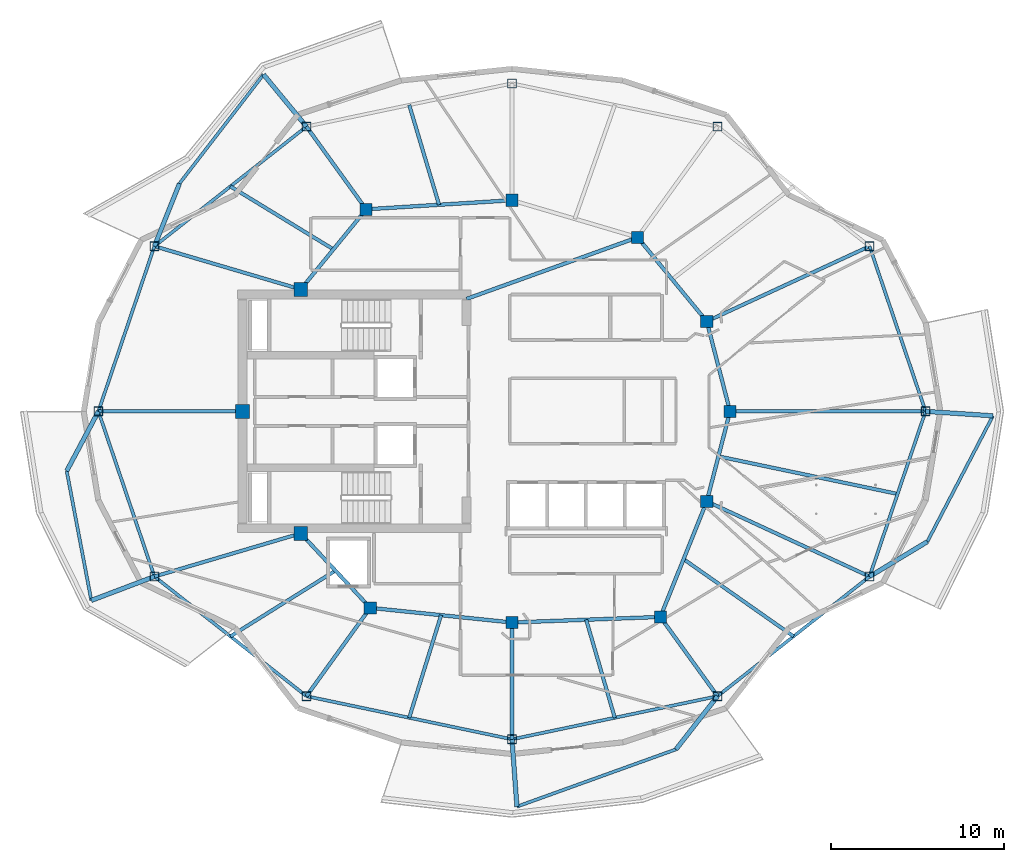
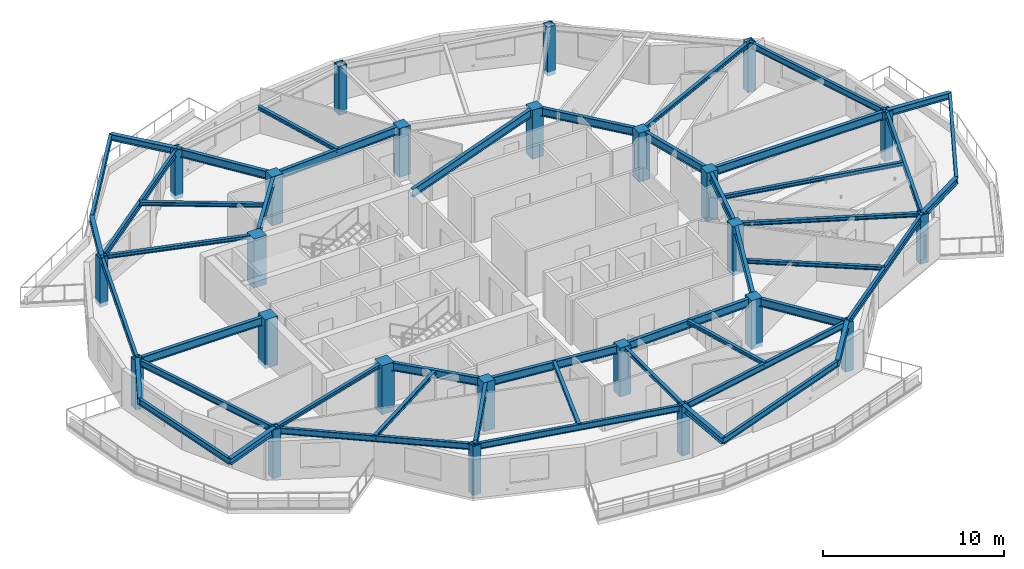
# One storey, part 1 of 14: 48 beams, 24 columns.
"""IFC4 building model written with IfcOpenShell, lengths in metres."""

from ifc_helpers import new_model, si_unit, direction, frame, origin, origin_2d, place, context, subcontext, project, spatial, rectangle, hollow_rectangle, i_section, extrude, material, material_profile, profile_set, type_object, element, save


model = new_model("IFC4")

# Units and contexts
model_context = context("Model", 3, precision=1e-05, world=origin(), true_north=direction((0.0, 1.0)))
body_context = subcontext(model_context, "Body", "Model", "MODEL_VIEW")
ifc_project = project(units=[si_unit("LENGTHUNIT", "METRE"), si_unit("AREAUNIT", "SQUARE_METRE"), si_unit("VOLUMEUNIT", "CUBIC_METRE"), si_unit("PLANEANGLEUNIT", "RADIAN"), si_unit("MASSUNIT", "GRAM", prefix="KILO")], contexts=[model_context])

# Site, building, storey
site_placement = place(None, origin())
site = spatial("IfcSite", under=ifc_project, at=site_placement, CompositionType="ELEMENT")
building_placement = place(site_placement, origin())
building = spatial("IfcBuilding", under=site, at=building_placement, Name="Kolvaren Gate Tower and Convention Centre", CompositionType="ELEMENT")
storey_placement = place(building_placement, frame((0.0, 0.0, 222.800048828125)))
storey = spatial("IfcBuildingStorey", under=building, at=storey_placement, Name="L59", CompositionType="ELEMENT", Elevation=222.800048828125)

# Columns
ifc_material_1 = material(Name="Structural steel ASTM A500 Grade C 345 MPa", Category="steel")
ifc_material_profile_1 = material_profile(ifc_material_1, hollow_rectangle(XDim=0.508056640625, YDim=0.508056640625, WallThickness=0.01904296875, at=origin_2d()), Name="HSS508X508X19.1")
ifc_profile_set_1 = profile_set([ifc_material_profile_1], Name="Structural steel ASTM A500 Grade C 345 MPa")
column_type_1 = type_object("IfcColumnType", Name="STR-COL-HSS508", PredefinedType="COLUMN", material=ifc_profile_set_1)
for number, where, z_axis, x_axis, name in (
    (1, (54.02490234375, 27.0, -0.27001953125), (0.0, 0.0, 1.0), (1.0, 0.0, 0.0), "Tower L59 Perimeter Supercolumn TP-01"),
    (2, (50.787353515625, 36.543701171875, -0.27001953125), (0.0, 0.0, 1.0), (1.0, 0.0, 0.0), "Tower L59 Perimeter Supercolumn TP-02"),
    (3, (42.002685546875, 43.4580078125, -0.27001953125), (0.0, 0.0, 1.0), (1.0, 0.0, 0.0), "Tower L59 Perimeter Supercolumn TP-03"),
    (4, (30.125, 45.949951171875, -0.27001953125), (0.0, 0.0, 1.0), (1.0, 0.0, 0.0), "Tower L59 Perimeter Supercolumn TP-04"),
    (5, (18.247314453125, 43.4580078125, -0.27001953125), (0.0, 0.0, 1.0), (1.0, 0.0, 0.0), "Tower L59 Perimeter Supercolumn TP-05"),
    (6, (9.462646484375, 36.543701171875, -0.27001953125), (0.0, 0.0, 1.0), (1.0, 0.0, 0.0), "Tower L59 Perimeter Supercolumn TP-06"),
    (7, (6.22509765625, 27.0, -0.27001953125), (0.0, 0.0, 1.0), (1.0, 0.0, 0.0), "Tower L59 Perimeter Supercolumn TP-07"),
    (8, (9.462646484375, 17.456298828125, -0.27001953125), (0.0, 0.0, 1.0), (1.0, 0.0, 0.0), "Tower L59 Perimeter Supercolumn TP-08"),
    (9, (18.247314453125, 10.5419921875, -0.27001953125), (0.0, 0.0, 1.0), (1.0, 0.0, 0.0), "Tower L59 Perimeter Supercolumn TP-09"),
    (10, (30.125, 8.050048828125, -0.27001953125), (0.0, 0.0, 1.0), (1.0, 0.0, 0.0), "Tower L59 Perimeter Supercolumn TP-10"),
    (11, (42.002685546875, 10.5419921875, -0.27001953125), (0.0, 0.0, 1.0), (1.0, 0.0, 0.0), "Tower L59 Perimeter Supercolumn TP-11"),
    (12, (50.787353515625, 17.456298828125, -0.27001953125), (0.0, 0.0, 1.0), (1.0, 0.0, 0.0), "Tower L59 Perimeter Supercolumn TP-12"),
):
    element("IfcColumn", number, at=place(storey_placement, frame(where, z_axis=z_axis, x_axis=x_axis)), inside=storey, type_object=column_type_1, Name=name, PredefinedType="COLUMN", context=body_context, shape_type="SweptSolid", body=[
        extrude(hollow_rectangle(XDim=0.508056640625, YDim=0.508056640625, WallThickness=0.01904296875, at=origin_2d()), origin(), (0.0, 0.0, 1.0), 3.300048828125),
    ])
ifc_material_2 = material(Name="Concrete C50/60", Category="concrete")
ifc_material_profile_2 = material_profile(ifc_material_2, rectangle(XDim=0.699951171875, YDim=0.699951171875, at=origin_2d()), Name="RC-COL-700X700")
ifc_profile_set_2 = profile_set([ifc_material_profile_2], Name="Concrete C50/60")
column_type_2 = type_object("IfcColumnType", Name="STR-COL-RC700", PredefinedType="COLUMN", material=ifc_profile_set_2)
for number, where, z_axis, x_axis, name in (
    (13, (42.72509765625, 27.0, -0.27001953125), (0.0, 0.0, 1.0), (1.0, 0.0, 0.0), "Tower L59 Interior Column TI-01"),
    (14, (41.382080078125, 32.199462890625, -0.27001953125), (0.0, 0.0, 1.0), (1.0, 0.0, 0.0), "Tower L59 Interior Column TI-02"),
    (15, (37.381591796875, 37.054931640625, -0.27001953125), (0.0, 0.0, 1.0), (1.0, 0.0, 0.0), "Tower L59 Interior Column TI-03"),
    (16, (30.125, 39.199951171875, -0.27001953125), (0.0, 0.0, 1.0), (1.0, 0.0, 0.0), "Tower L59 Interior Column TI-04"),
    (17, (21.697998046875, 38.6767578125, -0.27001953125), (0.0, 0.0, 1.0), (1.0, 0.0, 0.0), "Tower L59 Interior Column TI-05"),
    (18, (21.93212890625, 15.647705078125, -0.27001953125), (0.0, 0.0, 1.0), (1.0, 0.0, 0.0), "Tower L59 Interior Column TI-06"),
    (19, (30.125, 14.800048828125, -0.27001953125), (0.0, 0.0, 1.0), (1.0, 0.0, 0.0), "Tower L59 Interior Column TI-07"),
    (20, (38.6982421875, 15.12060546875, -0.27001953125), (0.0, 0.0, 1.0), (1.0, 0.0, 0.0), "Tower L59 Interior Column TI-08"),
    (21, (41.382080078125, 21.800537109375, -0.27001953125), (0.0, 0.0, 1.0), (1.0, 0.0, 0.0), "Tower L59 Interior Column TI-09"),
):
    element("IfcColumn", number, at=place(storey_placement, frame(where, z_axis=z_axis, x_axis=x_axis)), inside=storey, type_object=column_type_2, Name=name, PredefinedType="COLUMN", context=body_context, shape_type="SweptSolid", body=[
        extrude(rectangle(XDim=0.699951171875, YDim=0.699951171875, at=origin_2d()), origin(), (0.0, 0.0, 1.0), 3.300048828125),
    ])
ifc_material_3 = material(Name="Concrete C60/75", Category="concrete")
ifc_material_profile_3 = material_profile(ifc_material_3, rectangle(XDim=0.800048828125, YDim=0.800048828125, at=origin_2d()), Name="RC-COL-800X800")
ifc_profile_set_3 = profile_set([ifc_material_profile_3], Name="Concrete C60/75")
column_type_3 = type_object("IfcColumnType", Name="STR-PIL-RC800", PredefinedType="PILASTER", material=ifc_profile_set_3)
for number, where, z_axis, x_axis, name in (
    (22, (17.9140625, 34.050048828125, -0.27001953125), (0.0, 0.0, 1.0), (1.0, 0.0, 0.0), "Tower L59 Core Boundary Pilaster TC-05"),
    (23, (14.550048828125, 27.0, -0.27001953125), (0.0, 0.0, 1.0), (1.0, 0.0, 0.0), "Tower L59 Core Boundary Pilaster TC-06"),
    (24, (17.9140625, 19.949951171875, -0.27001953125), (0.0, 0.0, 1.0), (1.0, 0.0, 0.0), "Tower L59 Core Boundary Pilaster TC-07"),
):
    element("IfcColumn", number, at=place(storey_placement, frame(where, z_axis=z_axis, x_axis=x_axis)), inside=storey, type_object=column_type_3, Name=name, PredefinedType="PILASTER", context=body_context, shape_type="SweptSolid", body=[
        extrude(rectangle(XDim=0.800048828125, YDim=0.800048828125, at=origin_2d()), origin(), (0.0, 0.0, 1.0), 3.300048828125),
    ])

# Beams
ifc_material_4 = material(Name="Structural steel ASTM A992 Grade 345 MPa", Category="steel")
ifc_material_profile_4 = material_profile(ifc_material_4, i_section(OverallWidth=0.260009765625, OverallDepth=0.419921875, WebThickness=0.013427734375, FlangeThickness=0.0224609375, at=origin_2d()), Name="W410X132")
ifc_profile_set_4 = profile_set([ifc_material_profile_4], Name="Structural steel ASTM A992 Grade 345 MPa")
beam_type_1 = type_object("IfcBeamType", Name="STR-BM-W410X132", PredefinedType="BEAM", material=ifc_profile_set_4)
for number, where, z_axis, x_axis, name in (
    (25, (18.247314453125, 43.4580078125, 2.820556640625), (-0.636086782115, 0.771617525474, 0.0), (-0.771617525474, -0.636086782115, 0.0), "Tower L60 Planted Balcony Outrigger Cantilever BC-1A"),
    (26, (9.462646484375, 36.543701171875, 2.820556640625), (0.370926499602, 0.92866222702, 0.0), (-0.92866222702, 0.370926499602, 0.0), "Tower L60 Planted Balcony Outrigger Cantilever BC-1B"),
):
    element("IfcBeam", number, at=place(storey_placement, frame(where, z_axis=z_axis, x_axis=x_axis)), inside=storey, type_object=beam_type_1, Name=name, PredefinedType="BEAM", context=body_context, shape_type="SweptSolid", body=[
        extrude(i_section(OverallWidth=0.260009765625, OverallDepth=0.419921875, WebThickness=0.013427734375, FlangeThickness=0.0224609375, at=origin_2d()), origin(), (0.0, 0.0, 1.0), 3.89990234375),
    ])
for number, where, z_axis, x_axis, name in (
    (27, (6.22509765625, 27.0, 2.820556640625), (-0.469557949111, -0.882901655014, 0.0), (0.882901655014, -0.469557949111, 0.0), "Tower L60 Planted Balcony Outrigger Cantilever BC-2A"),
    (28, (9.462646484375, 17.456298828125, 2.820556640625), (-0.935223524141, -0.354057848229, 0.0), (0.354057848229, -0.935223524141, 0.0), "Tower L60 Planted Balcony Outrigger Cantilever BC-2B"),
    (29, (30.125, 8.050048828125, 2.820556640625), (0.073177618762, -0.997318923972, 0.0), (0.997318923972, 0.073177618762, 0.0), "Tower L60 Planted Balcony Outrigger Cantilever BC-3A"),
):
    element("IfcBeam", number, at=place(storey_placement, frame(where, z_axis=z_axis, x_axis=x_axis)), inside=storey, type_object=beam_type_1, Name=name, PredefinedType="BEAM", context=body_context, shape_type="SweptSolid", body=[
        extrude(i_section(OverallWidth=0.260009765625, OverallDepth=0.419921875, WebThickness=0.013427734375, FlangeThickness=0.0224609375, at=origin_2d()), origin(), (0.0, 0.0, 1.0), 3.900146484375),
    ])
beam_1_placement = place(storey_placement, frame((42.002685546875, 10.5419921875, 2.820556640625), z_axis=(-0.615984127809, -0.787758563449, 0.0), x_axis=(0.787758563449, -0.615984127809, 0.0)))
element("IfcBeam", 30, at=beam_1_placement, inside=storey, type_object=beam_type_1, Name="Tower L60 Planted Balcony Outrigger Cantilever BC-3B", PredefinedType="BEAM", context=body_context, shape_type="SweptSolid", body=[
    extrude(i_section(OverallWidth=0.260009765625, OverallDepth=0.419921875, WebThickness=0.013427734375, FlangeThickness=0.0224609375, at=origin_2d()), origin(), (0.0, 0.0, 1.0), 3.89990234375),
])
for number, where, z_axis, x_axis, name in (
    (31, (50.787353515625, 17.456298828125, 2.820556640625), (0.856097890351, 0.516813701575, 0.0), (-0.516813701575, 0.856097890351, 0.0), "Tower L60 Planted Balcony Outrigger Cantilever BC-4A"),
    (32, (54.02490234375, 27.0, 2.820556640625), (0.997825138942, -0.065916554034, 0.0), (0.065916554034, 0.997825138942, 0.0), "Tower L60 Planted Balcony Outrigger Cantilever BC-4B"),
):
    element("IfcBeam", number, at=place(storey_placement, frame(where, z_axis=z_axis, x_axis=x_axis)), inside=storey, type_object=beam_type_1, Name=name, PredefinedType="BEAM", context=body_context, shape_type="SweptSolid", body=[
        extrude(i_section(OverallWidth=0.260009765625, OverallDepth=0.419921875, WebThickness=0.013427734375, FlangeThickness=0.0224609375, at=origin_2d()), origin(), (0.0, 0.0, 1.0), 3.900146484375),
    ])
ifc_material_profile_5 = material_profile(ifc_material_4, i_section(OverallWidth=0.2119140625, OverallDepth=0.5439453125, WebThickness=0.01318359375, FlangeThickness=0.021240234375, at=origin_2d()), Name="W530X123")
ifc_profile_set_5 = profile_set([ifc_material_profile_5], Name="Structural steel ASTM A992 Grade 345 MPa")
beam_type_2 = type_object("IfcBeamType", Name="STR-BM-W530X123", PredefinedType="BEAM", material=ifc_profile_set_5)
beam_2_placement = place(storey_placement, frame((42.72509765625, 27.0, 2.758056640625), z_axis=(-0.250091133936, -0.968222301296, 0.0), x_axis=(0.968222301296, -0.250091133936, 0.0)))
element("IfcBeam", 33, at=beam_2_placement, inside=storey, type_object=beam_type_2, Name="Tower L59 Primary Ring Girder G-01", PredefinedType="BEAM", context=body_context, shape_type="SweptSolid", body=[
    extrude(i_section(OverallWidth=0.2119140625, OverallDepth=0.5439453125, WebThickness=0.01318359375, FlangeThickness=0.021240234375, at=origin_2d()), origin(), (0.0, 0.0, 1.0), 5.3701171875),
])
beam_3_placement = place(storey_placement, frame((41.382080078125, 32.199462890625, 2.758056640625), z_axis=(-0.635884066011, 0.771784590798, 0.0), x_axis=(-0.771784590798, -0.635884066011, 0.0)))
element("IfcBeam", 34, at=beam_3_placement, inside=storey, type_object=beam_type_2, Name="Tower L59 Primary Ring Girder G-02", PredefinedType="BEAM", context=body_context, shape_type="SweptSolid", body=[
    extrude(i_section(OverallWidth=0.2119140625, OverallDepth=0.5439453125, WebThickness=0.01318359375, FlangeThickness=0.021240234375, at=origin_2d()), origin(), (0.0, 0.0, 1.0), 6.291259765625),
])
beam_4_placement = place(storey_placement, frame((30.125, 39.199951171875, 2.758056640625), z_axis=(-0.998078258568, -0.06196603726, 0.0), x_axis=(0.06196603726, -0.998078258568, 0.0)))
element("IfcBeam", 35, at=beam_4_placement, inside=storey, type_object=beam_type_2, Name="Tower L59 Primary Ring Girder G-04", PredefinedType="BEAM", context=body_context, shape_type="SweptSolid", body=[
    extrude(i_section(OverallWidth=0.2119140625, OverallDepth=0.5439453125, WebThickness=0.01318359375, FlangeThickness=0.021240234375, at=origin_2d()), origin(), (0.0, 0.0, 1.0), 8.443115234375),
])
beam_5_placement = place(storey_placement, frame((21.697998046875, 38.6767578125, 2.758056640625), z_axis=(-0.633082074904, -0.774084676528, 0.0), x_axis=(0.774084676528, -0.633082074904, 0.0)))
element("IfcBeam", 36, at=beam_5_placement, inside=storey, type_object=beam_type_2, Name="Tower L59 Primary Ring Girder G-05", PredefinedType="BEAM", context=body_context, shape_type="SweptSolid", body=[
    extrude(i_section(OverallWidth=0.2119140625, OverallDepth=0.5439453125, WebThickness=0.01318359375, FlangeThickness=0.021240234375, at=origin_2d()), origin(), (0.0, 0.0, 1.0), 5.97705078125),
])
beam_6_placement = place(storey_placement, frame((17.9140625, 19.949951171875, 2.758056640625), z_axis=(0.682557592987, -0.730831808459, 0.0), x_axis=(0.730831808459, 0.682557592987, 0.0)))
element("IfcBeam", 37, at=beam_6_placement, inside=storey, type_object=beam_type_2, Name="Tower L59 Primary Ring Girder G-06", PredefinedType="BEAM", context=body_context, shape_type="SweptSolid", body=[
    extrude(i_section(OverallWidth=0.2119140625, OverallDepth=0.5439453125, WebThickness=0.01318359375, FlangeThickness=0.021240234375, at=origin_2d()), origin(), (0.0, 0.0, 1.0), 5.88671875),
])
beam_7_placement = place(storey_placement, frame((21.93212890625, 15.647705078125, 2.758056640625), z_axis=(0.994690329115, -0.102913308978, 0.0), x_axis=(0.102913308978, 0.994690329115, 0.0)))
element("IfcBeam", 38, at=beam_7_placement, inside=storey, type_object=beam_type_2, Name="Tower L59 Primary Ring Girder G-07", PredefinedType="BEAM", context=body_context, shape_type="SweptSolid", body=[
    extrude(i_section(OverallWidth=0.2119140625, OverallDepth=0.5439453125, WebThickness=0.01318359375, FlangeThickness=0.021240234375, at=origin_2d()), origin(), (0.0, 0.0, 1.0), 8.236572265625),
])
beam_8_placement = place(storey_placement, frame((30.125, 14.800048828125, 2.758056640625), z_axis=(0.999301712453, 0.037364254142, 0.0), x_axis=(-0.037364254142, 0.999301712453, 0.0)))
element("IfcBeam", 39, at=beam_8_placement, inside=storey, type_object=beam_type_2, Name="Tower L59 Primary Ring Girder G-08", PredefinedType="BEAM", context=body_context, shape_type="SweptSolid", body=[
    extrude(i_section(OverallWidth=0.2119140625, OverallDepth=0.5439453125, WebThickness=0.01318359375, FlangeThickness=0.021240234375, at=origin_2d()), origin(), (0.0, 0.0, 1.0), 8.579345703125),
])
beam_9_placement = place(storey_placement, frame((38.6982421875, 15.12060546875, 2.758056640625), z_axis=(0.372811100169, 0.927907260232, 0.0), x_axis=(-0.927907260232, 0.372811100169, 0.0)))
element("IfcBeam", 40, at=beam_9_placement, inside=storey, type_object=beam_type_2, Name="Tower L59 Primary Ring Girder G-09", PredefinedType="BEAM", context=body_context, shape_type="SweptSolid", body=[
    extrude(i_section(OverallWidth=0.2119140625, OverallDepth=0.5439453125, WebThickness=0.01318359375, FlangeThickness=0.021240234375, at=origin_2d()), origin(), (0.0, 0.0, 1.0), 7.198974609375),
])
beam_10_placement = place(storey_placement, frame((27.5, 33.5, 2.758056640625), z_axis=(0.940961479908, 0.338513653093, 0.0), x_axis=(-0.338513653093, 0.940961479908, 0.0)))
element("IfcBeam", 41, at=beam_10_placement, inside=storey, type_object=beam_type_2, Name="Tower L59 Primary Ring Girder G-10", PredefinedType="BEAM", context=body_context, shape_type="SweptSolid", body=[
    extrude(i_section(OverallWidth=0.2119140625, OverallDepth=0.5439453125, WebThickness=0.01318359375, FlangeThickness=0.021240234375, at=origin_2d()), origin(), (0.0, 0.0, 1.0), 10.501708984375),
])
beam_11_placement = place(storey_placement, frame((42.72509765625, 27.0, 2.758056640625), z_axis=(-0.250091133936, 0.968222301296, 0.0), x_axis=(-0.968222301296, -0.250091133936, 0.0)))
element("IfcBeam", 42, at=beam_11_placement, inside=storey, type_object=beam_type_2, Name="Tower L59 Primary Ring Girder G-12", PredefinedType="BEAM", context=body_context, shape_type="SweptSolid", body=[
    extrude(i_section(OverallWidth=0.2119140625, OverallDepth=0.5439453125, WebThickness=0.01318359375, FlangeThickness=0.021240234375, at=origin_2d()), origin(), (0.0, 0.0, 1.0), 5.3701171875),
])
beam_12_placement = place(storey_placement, frame((42.72509765625, 27.0, 2.758056640625), z_axis=(1.0, 0.0, 0.0), x_axis=(0.0, 1.0, 0.0)))
element("IfcBeam", 43, at=beam_12_placement, inside=storey, type_object=beam_type_2, Name="Tower L59 Radial Floor Girder RB-01", PredefinedType="BEAM", context=body_context, shape_type="SweptSolid", body=[
    extrude(i_section(OverallWidth=0.2119140625, OverallDepth=0.5439453125, WebThickness=0.01318359375, FlangeThickness=0.021240234375, at=origin_2d()), origin(), (0.0, 0.0, 1.0), 11.2998046875),
])
beam_13_placement = place(storey_placement, frame((21.697998046875, 38.6767578125, 2.758056640625), z_axis=(-0.585218406802, 0.810875709552, 0.0), x_axis=(-0.810875709552, -0.585218406802, 0.0)))
element("IfcBeam", 44, at=beam_13_placement, inside=storey, type_object=beam_type_2, Name="Tower L59 Radial Floor Girder RB-05", PredefinedType="BEAM", context=body_context, shape_type="SweptSolid", body=[
    extrude(i_section(OverallWidth=0.2119140625, OverallDepth=0.5439453125, WebThickness=0.01318359375, FlangeThickness=0.021240234375, at=origin_2d()), origin(), (0.0, 0.0, 1.0), 5.896484375),
])
beam_14_placement = place(storey_placement, frame((14.550048828125, 27.0, 2.758056640625), z_axis=(-1.0, 0.0, 0.0), x_axis=(0.0, -1.0, 0.0)))
element("IfcBeam", 45, at=beam_14_placement, inside=storey, type_object=beam_type_2, Name="Tower L59 Radial Floor Girder RB-07", PredefinedType="BEAM", context=body_context, shape_type="SweptSolid", body=[
    extrude(i_section(OverallWidth=0.2119140625, OverallDepth=0.5439453125, WebThickness=0.01318359375, FlangeThickness=0.021240234375, at=origin_2d()), origin(), (0.0, 0.0, 1.0), 8.324951171875),
])
beam_15_placement = place(storey_placement, frame((21.93212890625, 15.647705078125, 2.758056640625), z_axis=(-0.585214462319, -0.810878556316, 0.0), x_axis=(0.810878556316, -0.585214462319, 0.0)))
element("IfcBeam", 46, at=beam_15_placement, inside=storey, type_object=beam_type_2, Name="Tower L59 Radial Floor Girder RB-09", PredefinedType="BEAM", context=body_context, shape_type="SweptSolid", body=[
    extrude(i_section(OverallWidth=0.2119140625, OverallDepth=0.5439453125, WebThickness=0.01318359375, FlangeThickness=0.021240234375, at=origin_2d()), origin(), (0.0, 0.0, 1.0), 6.296630859375),
])
beam_16_placement = place(storey_placement, frame((38.6982421875, 15.12060546875, 2.758056640625), z_axis=(0.585218993275, -0.810875286286, 0.0), x_axis=(0.810875286286, 0.585218993275, 0.0)))
element("IfcBeam", 47, at=beam_16_placement, inside=storey, type_object=beam_type_2, Name="Tower L59 Radial Floor Girder RB-11", PredefinedType="BEAM", context=body_context, shape_type="SweptSolid", body=[
    extrude(i_section(OverallWidth=0.2119140625, OverallDepth=0.5439453125, WebThickness=0.01318359375, FlangeThickness=0.021240234375, at=origin_2d()), origin(), (0.0, 0.0, 1.0), 5.646484375),
])
ifc_material_profile_6 = material_profile(ifc_material_4, i_section(OverallWidth=0.202880859375, OverallDepth=0.251953125, WebThickness=0.008056640625, FlangeThickness=0.013427734375, at=origin_2d()), Name="W250X58")
ifc_profile_set_6 = profile_set([ifc_material_profile_6], Name="Structural steel ASTM A992 Grade 345 MPa")
beam_type_3 = type_object("IfcBeamType", Name="STR-JS-W250X58", PredefinedType="JOIST", material=ifc_profile_set_6)
beam_17_placement = place(storey_placement, frame((41.382080078125, 32.199462890625, 2.904052734375), z_axis=(0.907836575129, 0.419324162025, 0.0), x_axis=(-0.419324162025, 0.907836575129, 0.0)))
element("IfcBeam", 48, at=beam_17_placement, inside=storey, type_object=beam_type_3, Name="Tower L59 Radial Floor Girder RB-02", PredefinedType="JOIST", context=body_context, shape_type="SweptSolid", body=[
    extrude(i_section(OverallWidth=0.202880859375, OverallDepth=0.251953125, WebThickness=0.008056640625, FlangeThickness=0.013427734375, at=origin_2d()), origin(), (0.0, 0.0, 1.0), 10.360107421875),
])
for number, where, z_axis, x_axis, name in (
    (49, (17.9140625, 34.050048828125, 2.904052734375), (-0.959121165581, 0.28299574155, 0.0), (-0.28299574155, -0.959121165581, 0.0), "Tower L59 Radial Floor Girder RB-06"),
    (50, (17.9140625, 19.949951171875, 2.904052734375), (-0.959121165581, -0.28299574155, 0.0), (0.28299574155, -0.959121165581, 0.0), "Tower L59 Radial Floor Girder RB-08"),
):
    element("IfcBeam", number, at=place(storey_placement, frame(where, z_axis=z_axis, x_axis=x_axis)), inside=storey, type_object=beam_type_3, Name=name, PredefinedType="JOIST", context=body_context, shape_type="SweptSolid", body=[
        extrude(i_section(OverallWidth=0.202880859375, OverallDepth=0.251953125, WebThickness=0.008056640625, FlangeThickness=0.013427734375, at=origin_2d()), origin(), (0.0, 0.0, 1.0), 8.8115234375),
    ])
beam_18_placement = place(storey_placement, frame((30.125, 14.800048828125, 2.904052734375), z_axis=(0.0, -1.0, 0.0), x_axis=(1.0, 0.0, 0.0)))
element("IfcBeam", 51, at=beam_18_placement, inside=storey, type_object=beam_type_3, Name="Tower L59 Radial Floor Girder RB-10", PredefinedType="JOIST", context=body_context, shape_type="SweptSolid", body=[
    extrude(i_section(OverallWidth=0.202880859375, OverallDepth=0.251953125, WebThickness=0.008056640625, FlangeThickness=0.013427734375, at=origin_2d()), origin(), (0.0, 0.0, 1.0), 6.75),
])
beam_19_placement = place(storey_placement, frame((41.382080078125, 21.800537109375, 2.904052734375), z_axis=(0.907836575129, -0.419324162025, 0.0), x_axis=(0.419324162025, 0.907836575129, 0.0)))
element("IfcBeam", 52, at=beam_19_placement, inside=storey, type_object=beam_type_3, Name="Tower L59 Radial Floor Girder RB-12", PredefinedType="JOIST", context=body_context, shape_type="SweptSolid", body=[
    extrude(i_section(OverallWidth=0.202880859375, OverallDepth=0.251953125, WebThickness=0.008056640625, FlangeThickness=0.013427734375, at=origin_2d()), origin(), (0.0, 0.0, 1.0), 10.360107421875),
])
beam_20_placement = place(storey_placement, frame((25.91162109375, 38.938232421875, 2.904052734375), z_axis=(-0.286674209033, 0.958028130002, 0.0), x_axis=(-0.958028130002, -0.286674209033, 0.0)))
element("IfcBeam", 53, at=beam_20_placement, inside=storey, type_object=beam_type_3, Name="Tower L59 Secondary Composite Floor Joist J-04.1", PredefinedType="JOIST", context=body_context, shape_type="SweptSolid", body=[
    extrude(i_section(OverallWidth=0.202880859375, OverallDepth=0.251953125, WebThickness=0.008056640625, FlangeThickness=0.013427734375, at=origin_2d()), origin(), (0.0, 0.0, 1.0), 6.0185546875),
])
beam_21_placement = place(storey_placement, frame((19.805908203125, 36.36328125, 2.904052734375), z_axis=(-0.853232509014, 0.52153071392, 0.0), x_axis=(-0.52153071392, -0.853232509014, 0.0)))
element("IfcBeam", 54, at=beam_21_placement, inside=storey, type_object=beam_type_3, Name="Tower L59 Secondary Composite Floor Joist J-05.1", PredefinedType="JOIST", context=body_context, shape_type="SweptSolid", body=[
    extrude(i_section(OverallWidth=0.202880859375, OverallDepth=0.251953125, WebThickness=0.008056640625, FlangeThickness=0.013427734375, at=origin_2d()), origin(), (0.0, 0.0, 1.0), 6.974609375),
])
beam_22_placement = place(storey_placement, frame((19.923095703125, 17.798828125, 2.904052734375), z_axis=(-0.847559309278, -0.530700685186, 0.0), x_axis=(0.530700685186, -0.847559309278, 0.0)))
element("IfcBeam", 55, at=beam_22_placement, inside=storey, type_object=beam_type_3, Name="Tower L59 Secondary Composite Floor Joist J-08.1", PredefinedType="JOIST", context=body_context, shape_type="SweptSolid", body=[
    extrude(i_section(OverallWidth=0.202880859375, OverallDepth=0.251953125, WebThickness=0.008056640625, FlangeThickness=0.013427734375, at=origin_2d()), origin(), (0.0, 0.0, 1.0), 7.159423828125),
])
beam_23_placement = place(storey_placement, frame((26.028564453125, 15.223876953125, 2.904052734375), z_axis=(-0.296776485487, -0.954946971126, 0.0), x_axis=(0.954946971126, -0.296776485487, 0.0)))
element("IfcBeam", 56, at=beam_23_placement, inside=storey, type_object=beam_type_3, Name="Tower L59 Secondary Composite Floor Joist J-09.1", PredefinedType="JOIST", context=body_context, shape_type="SweptSolid", body=[
    extrude(i_section(OverallWidth=0.202880859375, OverallDepth=0.251953125, WebThickness=0.008056640625, FlangeThickness=0.013427734375, at=origin_2d()), origin(), (0.0, 0.0, 1.0), 6.207763671875),
])
beam_24_placement = place(storey_placement, frame((34.41162109375, 14.960205078125, 2.904052734375), z_axis=(0.280001588896, -0.959999536571, 0.0), x_axis=(0.959999536571, 0.280001588896, 0.0)))
element("IfcBeam", 57, at=beam_24_placement, inside=storey, type_object=beam_type_3, Name="Tower L59 Secondary Composite Floor Joist J-10.1", PredefinedType="JOIST", context=body_context, shape_type="SweptSolid", body=[
    extrude(i_section(OverallWidth=0.202880859375, OverallDepth=0.251953125, WebThickness=0.008056640625, FlangeThickness=0.013427734375, at=origin_2d()), origin(), (0.0, 0.0, 1.0), 5.900390625),
])
beam_25_placement = place(storey_placement, frame((40.040283203125, 18.46044921875, 2.904052734375), z_axis=(0.81845266589, -0.574573958423, 0.0), x_axis=(0.574573958423, 0.81845266589, 0.0)))
element("IfcBeam", 58, at=beam_25_placement, inside=storey, type_object=beam_type_3, Name="Tower L59 Secondary Composite Floor Joist J-11.1", PredefinedType="JOIST", context=body_context, shape_type="SweptSolid", body=[
    extrude(i_section(OverallWidth=0.202880859375, OverallDepth=0.251953125, WebThickness=0.008056640625, FlangeThickness=0.013427734375, at=origin_2d()), origin(), (0.0, 0.0, 1.0), 7.764404296875),
])
beam_26_placement = place(storey_placement, frame((42.0537109375, 24.400146484375, 2.904052734375), z_axis=(0.978694513543, -0.205321818519, 0.0), x_axis=(0.205321818519, 0.978694513543, 0.0)))
element("IfcBeam", 59, at=beam_26_placement, inside=storey, type_object=beam_type_3, Name="Tower L59 Secondary Composite Floor Joist J-12.1", PredefinedType="JOIST", context=body_context, shape_type="SweptSolid", body=[
    extrude(i_section(OverallWidth=0.202880859375, OverallDepth=0.251953125, WebThickness=0.008056640625, FlangeThickness=0.013427734375, at=origin_2d()), origin(), (0.0, 0.0, 1.0), 10.577880859375),
])
ifc_material_profile_7 = material_profile(ifc_material_4, i_section(OverallWidth=0.180908203125, OverallDepth=0.4169921875, WebThickness=0.010986328125, FlangeThickness=0.018310546875, at=origin_2d()), Name="W410X85")
ifc_profile_set_7 = profile_set([ifc_material_profile_7], Name="Structural steel ASTM A992 Grade 345 MPa")
beam_type_4 = type_object("IfcBeamType", Name="STR-SP-W410X85", PredefinedType="SPANDREL", material=ifc_profile_set_7)
beam_27_placement = place(storey_placement, frame((54.02490234375, 27.0, 2.821533203125), z_axis=(-0.321252507379, 0.946993572577, 0.0), x_axis=(-0.946993572577, -0.321252507379, 0.0)))
element("IfcBeam", 60, at=beam_27_placement, inside=storey, type_object=beam_type_4, Name="Tower L59 Perimeter Spandrel Beam SP-01", PredefinedType="SPANDREL", context=body_context, shape_type="SweptSolid", body=[
    extrude(i_section(OverallWidth=0.180908203125, OverallDepth=0.4169921875, WebThickness=0.010986328125, FlangeThickness=0.018310546875, at=origin_2d()), origin(), (0.0, 0.0, 1.0), 10.077880859375),
])
beam_28_placement = place(storey_placement, frame((18.247314453125, 43.4580078125, 2.821533203125), z_axis=(-0.78579365551, -0.618488747643, 0.0), x_axis=(0.618488747643, -0.78579365551, 0.0)))
element("IfcBeam", 61, at=beam_28_placement, inside=storey, type_object=beam_type_4, Name="Tower L59 Perimeter Spandrel Beam SP-05", PredefinedType="SPANDREL", context=body_context, shape_type="SweptSolid", body=[
    extrude(i_section(OverallWidth=0.180908203125, OverallDepth=0.4169921875, WebThickness=0.010986328125, FlangeThickness=0.018310546875, at=origin_2d()), origin(), (0.0, 0.0, 1.0), 11.179443359375),
])
for number, where, z_axis, x_axis, name in (
    (62, (9.462646484375, 36.543701171875, 2.821533203125), (-0.321252507379, -0.946993572577, 0.0), (0.946993572577, -0.321252507379, 0.0), "Tower L59 Perimeter Spandrel Beam SP-06"),
    (63, (6.22509765625, 27.0, 2.821533203125), (0.321252507379, -0.946993572577, 0.0), (0.946993572577, 0.321252507379, 0.0), "Tower L59 Perimeter Spandrel Beam SP-07"),
):
    element("IfcBeam", number, at=place(storey_placement, frame(where, z_axis=z_axis, x_axis=x_axis)), inside=storey, type_object=beam_type_4, Name=name, PredefinedType="SPANDREL", context=body_context, shape_type="SweptSolid", body=[
        extrude(i_section(OverallWidth=0.180908203125, OverallDepth=0.4169921875, WebThickness=0.010986328125, FlangeThickness=0.018310546875, at=origin_2d()), origin(), (0.0, 0.0, 1.0), 10.077880859375),
    ])
beam_29_placement = place(storey_placement, frame((9.462646484375, 17.456298828125, 2.821533203125), z_axis=(0.78579365551, -0.618488747643, 0.0), x_axis=(0.618488747643, 0.78579365551, 0.0)))
element("IfcBeam", 64, at=beam_29_placement, inside=storey, type_object=beam_type_4, Name="Tower L59 Perimeter Spandrel Beam SP-08", PredefinedType="SPANDREL", context=body_context, shape_type="SweptSolid", body=[
    extrude(i_section(OverallWidth=0.180908203125, OverallDepth=0.4169921875, WebThickness=0.010986328125, FlangeThickness=0.018310546875, at=origin_2d()), origin(), (0.0, 0.0, 1.0), 11.179443359375),
])
for number, where, z_axis, x_axis, name in (
    (65, (18.247314453125, 10.5419921875, 2.821533203125), (0.978692765917, -0.205330148645, 0.0), (0.205330148645, 0.978692765917, 0.0), "Tower L59 Perimeter Spandrel Beam SP-09"),
    (66, (30.125, 8.050048828125, 2.821533203125), (0.978692765917, 0.205330148645, 0.0), (-0.205330148645, 0.978692765917, 0.0), "Tower L59 Perimeter Spandrel Beam SP-10"),
):
    element("IfcBeam", number, at=place(storey_placement, frame(where, z_axis=z_axis, x_axis=x_axis)), inside=storey, type_object=beam_type_4, Name=name, PredefinedType="SPANDREL", context=body_context, shape_type="SweptSolid", body=[
        extrude(i_section(OverallWidth=0.180908203125, OverallDepth=0.4169921875, WebThickness=0.010986328125, FlangeThickness=0.018310546875, at=origin_2d()), origin(), (0.0, 0.0, 1.0), 12.13623046875),
    ])
beam_30_placement = place(storey_placement, frame((42.002685546875, 10.5419921875, 2.821533203125), z_axis=(0.78579365551, 0.618488747643, 0.0), x_axis=(-0.618488747643, 0.78579365551, 0.0)))
element("IfcBeam", 67, at=beam_30_placement, inside=storey, type_object=beam_type_4, Name="Tower L59 Perimeter Spandrel Beam SP-11", PredefinedType="SPANDREL", context=body_context, shape_type="SweptSolid", body=[
    extrude(i_section(OverallWidth=0.180908203125, OverallDepth=0.4169921875, WebThickness=0.010986328125, FlangeThickness=0.018310546875, at=origin_2d()), origin(), (0.0, 0.0, 1.0), 11.179443359375),
])
beam_31_placement = place(storey_placement, frame((50.787353515625, 17.456298828125, 2.821533203125), z_axis=(0.321252507379, 0.946993572577, 0.0), x_axis=(-0.946993572577, 0.321252507379, 0.0)))
element("IfcBeam", 68, at=beam_31_placement, inside=storey, type_object=beam_type_4, Name="Tower L59 Perimeter Spandrel Beam SP-12", PredefinedType="SPANDREL", context=body_context, shape_type="SweptSolid", body=[
    extrude(i_section(OverallWidth=0.180908203125, OverallDepth=0.4169921875, WebThickness=0.010986328125, FlangeThickness=0.018310546875, at=origin_2d()), origin(), (0.0, 0.0, 1.0), 10.077880859375),
])
beam_32_placement = place(storey_placement, frame((15.7666015625, 46.46728515625, 2.822021484375), z_axis=(-0.61047858823, -0.792032760252, 0.0), x_axis=(0.792032760252, -0.61047858823, 0.0)))
element("IfcBeam", 69, at=beam_32_placement, inside=storey, type_object=beam_type_4, Name="Tower L60 Planted Balcony Header Tie Beam BT-1", PredefinedType="SPANDREL", context=body_context, shape_type="SweptSolid", body=[
    extrude(i_section(OverallWidth=0.180908203125, OverallDepth=0.4169921875, WebThickness=0.010986328125, FlangeThickness=0.018310546875, at=origin_2d()), origin(), (0.0, 0.0, 1.0), 7.956787109375),
])
beam_33_placement = place(storey_placement, frame((4.393798828125, 23.556640625, 2.822021484375), z_axis=(0.186655385459, -0.982425451156, 0.0), x_axis=(0.982425451156, 0.186655385459, 0.0)))
element("IfcBeam", 70, at=beam_33_placement, inside=storey, type_object=beam_type_4, Name="Tower L60 Planted Balcony Header Tie Beam BT-2", PredefinedType="SPANDREL", context=body_context, shape_type="SweptSolid", body=[
    extrude(i_section(OverallWidth=0.180908203125, OverallDepth=0.4169921875, WebThickness=0.010986328125, FlangeThickness=0.018310546875, at=origin_2d()), origin(), (0.0, 0.0, 1.0), 7.614990234375),
])
beam_34_placement = place(storey_placement, frame((30.410400390625, 4.160400390625, 2.822021484375), z_axis=(0.940856500711, 0.338805320311, 0.0), x_axis=(-0.338805320311, 0.940856500711, 0.0)))
element("IfcBeam", 71, at=beam_34_placement, inside=storey, type_object=beam_type_4, Name="Tower L60 Planted Balcony Header Tie Beam BT-3", PredefinedType="SPANDREL", context=body_context, shape_type="SweptSolid", body=[
    extrude(i_section(OverallWidth=0.180908203125, OverallDepth=0.4169921875, WebThickness=0.010986328125, FlangeThickness=0.018310546875, at=origin_2d()), origin(), (0.0, 0.0, 1.0), 9.767578125),
])
beam_35_placement = place(storey_placement, frame((54.126220703125, 19.471923828125, 2.822021484375), z_axis=(0.462251551917, 0.886748838595, 0.0), x_axis=(-0.886748838595, 0.462251551917, 0.0)))
element("IfcBeam", 72, at=beam_35_placement, inside=storey, type_object=beam_type_4, Name="Tower L60 Planted Balcony Header Tie Beam BT-4", PredefinedType="SPANDREL", context=body_context, shape_type="SweptSolid", body=[
    extrude(i_section(OverallWidth=0.180908203125, OverallDepth=0.4169921875, WebThickness=0.010986328125, FlangeThickness=0.018310546875, at=origin_2d()), origin(), (0.0, 0.0, 1.0), 8.19970703125),
])

save(model, "model.ifc")
